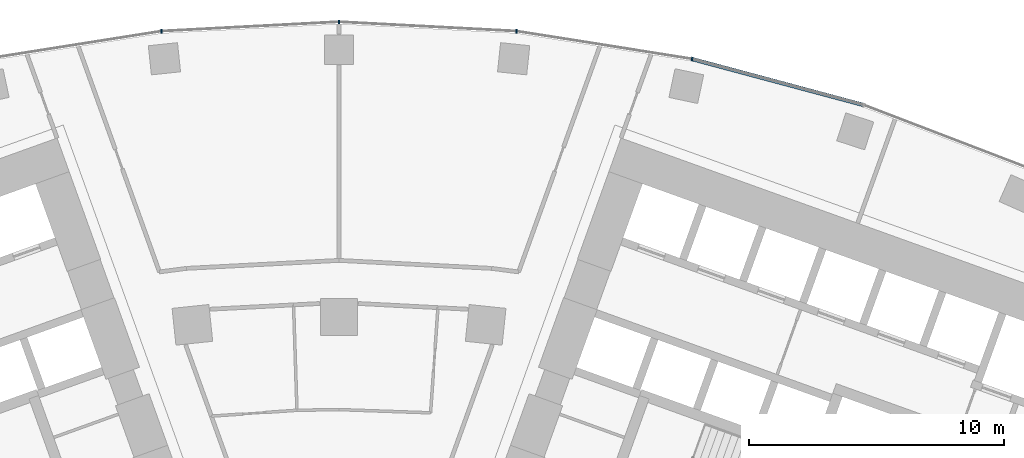
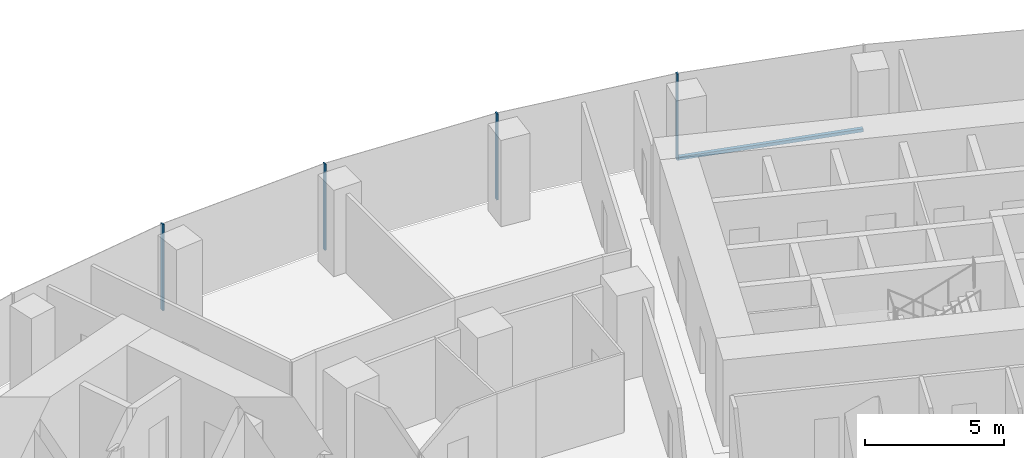
# One storey, part 6 of 19: 5 members, 1 element without a shape of its own.
"""IFC4 building model written with IfcOpenShell, lengths in metres."""

from ifc_helpers import new_model, si_unit, direction, frame, origin, origin_2d, place, context, subcontext, project, spatial, rectangle, extrude, material, layer, layer_set, material_profile, profile_set, type_object, element, aggregate, save


model = new_model("IFC4")

# Units and contexts
model_context = context("Model", 3, precision=1e-05, world=origin(), true_north=direction((0.0, 1.0)))
body_context = subcontext(model_context, "Body", "Model", "MODEL_VIEW")
ifc_project = project(units=[si_unit("LENGTHUNIT", "METRE"), si_unit("AREAUNIT", "SQUARE_METRE"), si_unit("VOLUMEUNIT", "CUBIC_METRE"), si_unit("PLANEANGLEUNIT", "RADIAN"), si_unit("MASSUNIT", "GRAM", prefix="KILO")], contexts=[model_context])

# Site, building, storey
site_placement = place(None, origin())
site = spatial("IfcSite", under=ifc_project, at=site_placement, CompositionType="ELEMENT")
building_placement = place(site_placement, origin())
building = spatial("IfcBuilding", under=site, at=building_placement, Name="Stone Belt Terrace Tower", CompositionType="ELEMENT")
storey_placement = place(building_placement, frame((0.0, 0.0, 128.800048828125)))
storey = spatial("IfcBuildingStorey", under=building, at=storey_placement, Name="L31", CompositionType="ELEMENT", Elevation=128.800048828125)

# Curtain wall, members
ifc_material = material(Name="Aluminium 6063-T6 anodised frame", Category="aluminium")
ifc_layer = layer(ifc_material, 0.14990234375)
ifc_layer_set = layer_set([ifc_layer], Name="CW-A unitised convex-face curtain wall")
curtain_wall_type = type_object("IfcCurtainWallType", Name="CW-A unitised convex-face curtain wall", PredefinedType="NOTDEFINED", material=ifc_layer_set)
curtain_wall_placement = place(storey_placement, origin())
curtain_wall = element("IfcCurtainWall", 1, at=curtain_wall_placement, inside=storey, type_object=curtain_wall_type, Name="CW-A convex face L31", PredefinedType="NOTDEFINED")
ifc_material_profile_1 = material_profile(ifc_material, rectangle(XDim=0.14990234375, YDim=0.06005859375, at=origin_2d()), Name="Aluminium 6063-T6 60x150")
ifc_profile_set_1 = profile_set([ifc_material_profile_1], Name="Aluminium 6063-T6 anodised frame")
member_type_1 = type_object("IfcMemberType", Name="CW-A mullion 60 x 150", PredefinedType="MULLION", material=ifc_profile_set_1)
member_1_placement = place(storey_placement, frame((13.841796875, 65.120361328125, 0.0), z_axis=(0.0, 0.0, 1.0), x_axis=(-0.207911690818, -0.978147600734, 0.0)))
member_1 = element("IfcMember", 2, at=member_1_placement, type_object=member_type_1, Name="CW-A mullion 8", PredefinedType="MULLION", context=body_context, shape_type="SweptSolid", body=[
    extrude(rectangle(XDim=0.14990234375, YDim=0.06005859375, at=origin_2d()), origin(), (0.0, 0.0, 1.0), 3.800048828125),
])
member_2_placement = place(storey_placement, frame((6.958984375, 66.21044921875, 0.0), z_axis=(0.0, 0.0, 1.0), x_axis=(-0.104528463268, -0.994521895368, 0.0)))
member_2 = element("IfcMember", 3, at=member_2_placement, type_object=member_type_1, Name="CW-A mullion 9", PredefinedType="MULLION", context=body_context, shape_type="SweptSolid", body=[
    extrude(rectangle(XDim=0.14990234375, YDim=0.06005859375, at=origin_2d()), origin(), (0.0, 0.0, 1.0), 3.800048828125),
])
member_3_placement = place(storey_placement, frame((0.0, 66.5751953125, 0.0), z_axis=(0.0, 0.0, 1.0), x_axis=(0.0, -1.0, 0.0)))
member_3 = element("IfcMember", 4, at=member_3_placement, type_object=member_type_1, Name="CW-A mullion 10", PredefinedType="MULLION", context=body_context, shape_type="SweptSolid", body=[
    extrude(rectangle(XDim=0.14990234375, YDim=0.06005859375, at=origin_2d()), origin(), (0.0, 0.0, 1.0), 3.800048828125),
])
member_4_placement = place(storey_placement, frame((-6.958984375, 66.21044921875, 0.0), z_axis=(0.0, 0.0, 1.0), x_axis=(0.104528463268, -0.994521895368, 0.0)))
member_4 = element("IfcMember", 5, at=member_4_placement, type_object=member_type_1, Name="CW-A mullion 11", PredefinedType="MULLION", context=body_context, shape_type="SweptSolid", body=[
    extrude(rectangle(XDim=0.14990234375, YDim=0.06005859375, at=origin_2d()), origin(), (0.0, 0.0, 1.0), 3.800048828125),
])
ifc_material_profile_2 = material_profile(ifc_material, rectangle(XDim=0.14990234375, YDim=0.139892578125, at=origin_2d()), Name="Aluminium 6063-T6 150x140")
ifc_profile_set_2 = profile_set([ifc_material_profile_2], Name="Aluminium 6063-T6 anodised frame")
member_type_2 = type_object("IfcMemberType", Name="CW-A transom 140 x 150", PredefinedType="USERDEFINED", material=ifc_profile_set_2)
member_5_placement = place(storey_placement, frame((20.5400390625, 63.325439453125, 0.070068359375), z_axis=(-0.965921835863, 0.258833937117, 0.0), x_axis=(-0.258833937117, -0.965921835863, 0.0)))
member_5 = element("IfcMember", 6, at=member_5_placement, type_object=member_type_2, Name="CW-A transom 7.1", ObjectType="TRANSOM", PredefinedType="USERDEFINED", context=body_context, shape_type="SweptSolid", body=[
    extrude(rectangle(XDim=0.14990234375, YDim=0.139892578125, at=origin_2d()), origin(), (0.0, 0.0, 1.0), 6.900634765625),
])
aggregate(curtain_wall, [member_1, member_2, member_3, member_4, member_5])

save(model, "model.ifc")
